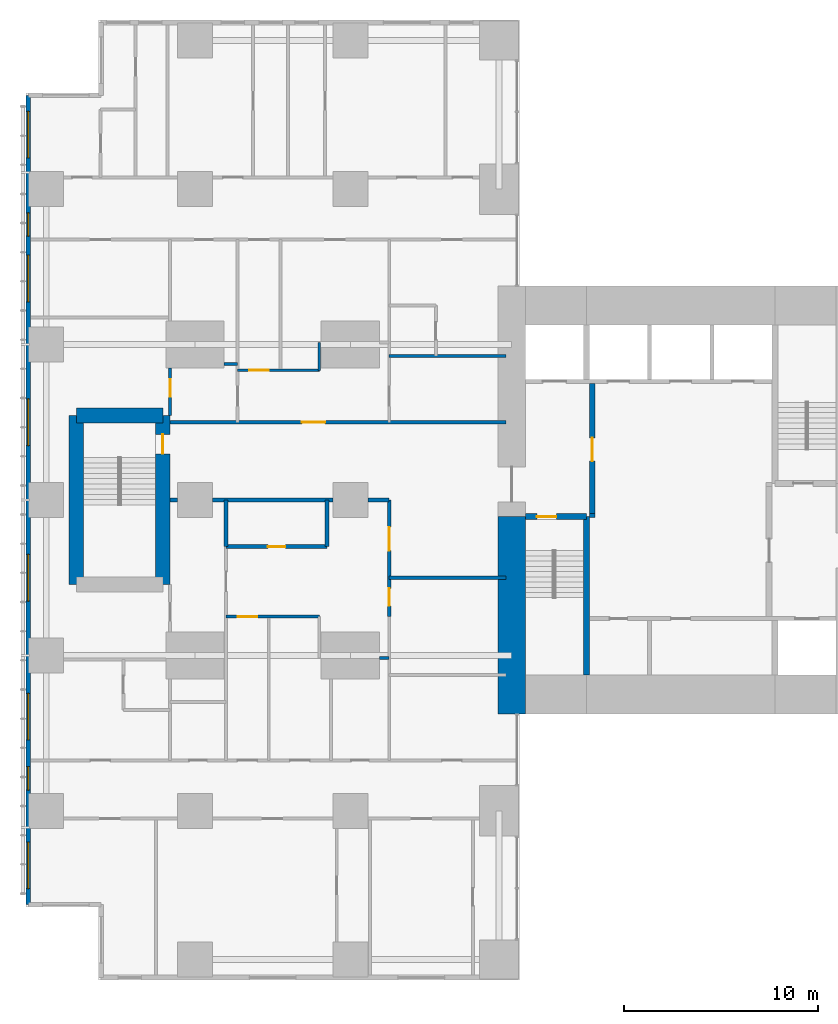
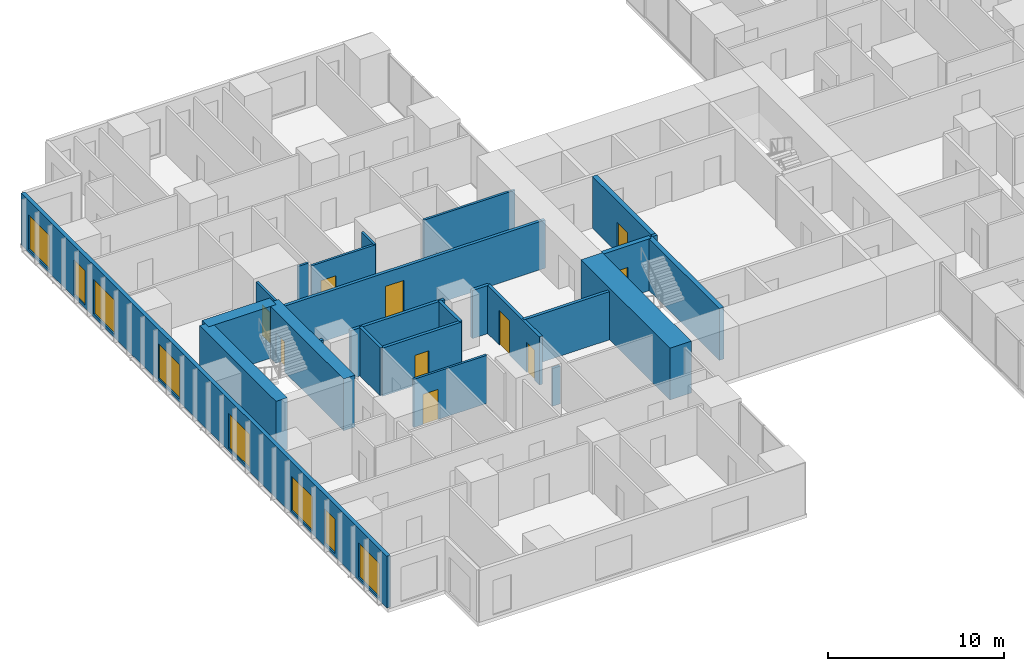
# One storey, part 13 of 20: 25 walls, 10 doors, 8 windows, 18 openings.
"""IFC4 building model written with IfcOpenShell, lengths in metres."""

from ifc_helpers import new_model, si_unit, direction, frame, frame_2d, origin, place, context, subcontext, project, spatial, rectangle, extrude, material, layer, layer_set, type_object, element, fill, save


model = new_model("IFC4")

# Units and contexts
model_context = context("Model", 3, precision=1e-05, world=origin(), true_north=direction((0.0, 1.0)))
body_context = subcontext(model_context, "Body", "Model", "MODEL_VIEW")
ifc_project = project(units=[si_unit("LENGTHUNIT", "METRE"), si_unit("AREAUNIT", "SQUARE_METRE"), si_unit("VOLUMEUNIT", "CUBIC_METRE"), si_unit("PLANEANGLEUNIT", "RADIAN"), si_unit("MASSUNIT", "GRAM", prefix="KILO")], contexts=[model_context])

# Site, building, storey
site_placement = place(None, origin())
site = spatial("IfcSite", under=ifc_project, at=site_placement, CompositionType="ELEMENT")
building_placement = place(site_placement, origin())
building = spatial("IfcBuilding", under=site, at=building_placement, Name="Cleftline Residences", CompositionType="ELEMENT")
storey_placement = place(building_placement, frame((0.0, 0.0, 214.60009765625)))
storey = spatial("IfcBuildingStorey", under=building, at=storey_placement, Name="L56", CompositionType="ELEMENT", Elevation=214.60009765625)

# Walls
ifc_material_1 = material(Name="Concrete B70", Category="concrete")
ifc_layer_1 = layer(ifc_material_1, 1.39990234375)
ifc_layer_set_1 = layer_set([ifc_layer_1], Name="CORE WALL 1400")
wall_type_1 = type_object("IfcWallType", Name="CORE WALL 1400", PredefinedType="SHEAR", material=ifc_layer_set_1)
wall_1_placement = place(storey_placement, frame((24.300048828125, 13.0, 0.0), z_axis=(0.0, 0.0, 1.0), x_axis=(0.0, 1.0, 0.0)))
element("IfcWall", 1, at=wall_1_placement, inside=storey, type_object=wall_type_1, Name="Core wall W0", PredefinedType="SHEAR", context=body_context, shape_type="SweptSolid", body=[
    extrude(rectangle(XDim=10.14990234375, YDim=1.39990234375, at=frame_2d((5.074951171875, 0.0))), origin(), (0.0, 0.0, 1.0), 3.599853515625),
])
ifc_material_2 = material(Name="Concrete B70", Category="concrete")
ifc_layer_2 = layer(ifc_material_2, 0.300048828125)
ifc_layer_set_2 = layer_set([ifc_layer_2], Name="CORE WALL 300")
wall_type_2 = type_object("IfcWallType", Name="CORE WALL 300", PredefinedType="SHEAR", material=ifc_layer_set_2)
wall_2_placement = place(storey_placement, frame((28.14990234375, 15.0, 0.0), z_axis=(0.0, 0.0, 1.0), x_axis=(0.0, 1.0, 0.0)))
element("IfcWall", 2, at=wall_2_placement, inside=storey, type_object=wall_type_2, Name="Core wall SA-E", PredefinedType="SHEAR", context=body_context, shape_type="SweptSolid", body=[
    extrude(rectangle(XDim=8.14990234375, YDim=0.300048828125, at=frame_2d((4.074951171875, 0.0))), origin(), (0.0, 0.0, 1.0), 3.599853515625),
])

# Wall, opening, door
wall_3_placement = place(storey_placement, frame((25.0, 23.14990234375, 0.0), z_axis=(0.0, 0.0, 1.0), x_axis=(1.0, 0.0, 0.0)))
wall_3 = element("IfcWall", 3, at=wall_3_placement, inside=storey, type_object=wall_type_2, Name="Core wall SA-N", PredefinedType="SHEAR", context=body_context, shape_type="SweptSolid", body=[
    extrude(rectangle(XDim=3.14990234375, YDim=0.300048828125, at=frame_2d((1.574951171875, 0.0))), origin(), (0.0, 0.0, 1.0), 3.599853515625),
])
opening_1_placement = place(wall_3_placement, frame((0.60009765625, 0.0, 0.0)))
opening_1 = element("IfcOpeningElement", 4, at=opening_1_placement, cuts=wall_3, Name="Opening D5", PredefinedType="OPENING", context=body_context, shape_type="SweptSolid", body=[
    extrude(rectangle(XDim=1.0, YDim=2.10009765625, at=frame_2d((0.5, 1.050048828125))), frame((0.0, 0.159912109375, 0.0), z_axis=(0.0, -1.0, 0.0), x_axis=(1.0, 0.0, 0.0)), (0.0, 0.0, 1.0), 0.320068359375),
])
ifc_material_3 = material(Name="Steel", Category="steel")
door_type_1 = type_object("IfcDoorType", Name="STAIR DOOR 1000X2100", OperationType="SINGLE_SWING_LEFT", PredefinedType="DOOR", material=ifc_material_3)
door_1_placement = place(opening_1_placement, origin())
door_1 = element("IfcDoor", 5, at=door_1_placement, inside=storey, type_object=door_type_1, Name="Stair A door", OperationType="SINGLE_SWING_RIGHT", OverallHeight=2.10009765625, OverallWidth=1.0, PredefinedType="DOOR", context=body_context, shape_type="SweptSolid", body=[
    extrude(rectangle(XDim=1.0, YDim=2.10009765625, at=frame_2d((0.5, 1.050048828125))), frame((0.0, 0.02490234375, 0.0), z_axis=(0.0, -1.0, 0.0), x_axis=(1.0, 0.0, 0.0)), (0.0, 0.0, 1.0), 0.050048828125),
])
fill(opening_1, door_1)

# Wall, openings, windows
ifc_material_4 = material(Name="Rendered reinforced concrete blockwork", Category="masonry")
ifc_layer_3 = layer(ifc_material_4, 0.25)
ifc_layer_set_3 = layer_set([ifc_layer_3], Name="EXTERNAL WALL 250")
wall_type_3 = type_object("IfcWallType", Name="EXTERNAL WALL 250", PredefinedType="SOLIDWALL", material=ifc_layer_set_3)
wall_4_placement = place(storey_placement, frame((-0.574951171875, 44.824951171875, 0.0), z_axis=(0.0, 0.0, 1.0), x_axis=(0.0, -1.0, 0.0)))
wall_4 = element("IfcWall", 6, at=wall_4_placement, inside=storey, type_object=wall_type_3, Name="External wall", PredefinedType="SOLIDWALL", context=body_context, shape_type="SweptSolid", body=[
    extrude(rectangle(XDim=41.64990234375, YDim=0.25, at=frame_2d((20.824951171875, 0.0))), origin(), (0.0, 0.0, 1.0), 3.599853515625),
])
opening_2_placement = place(wall_4_placement, frame((0.824951171875, 0.0, 0.199951171875)))
opening_2 = element("IfcOpeningElement", 7, at=opening_2_placement, cuts=wall_4, Name="Opening W9", PredefinedType="OPENING", context=body_context, shape_type="SweptSolid", body=[
    extrude(rectangle(XDim=2.39990234375, YDim=2.39990234375, at=frame_2d((1.199951171875, 1.199951171875))), frame((0.0, 0.135009765625, 0.0), z_axis=(0.0, -1.0, 0.0), x_axis=(1.0, 0.0, 0.0)), (0.0, 0.0, 1.0), 0.27001953125),
])
opening_3_placement = place(wall_4_placement, frame((6.050048828125, 0.0, 0.199951171875)))
opening_3 = element("IfcOpeningElement", 8, at=opening_3_placement, cuts=wall_4, Name="Opening W13", PredefinedType="OPENING", context=body_context, shape_type="SweptSolid", body=[
    extrude(rectangle(XDim=1.199951171875, YDim=2.39990234375, at=frame_2d((0.60009765625, 1.199951171875))), frame((0.0, 0.135009765625, 0.0), z_axis=(0.0, -1.0, 0.0), x_axis=(1.0, 0.0, 0.0)), (0.0, 0.0, 1.0), 0.27001953125),
])
opening_4_placement = place(wall_4_placement, frame((8.22509765625, 0.0, 0.199951171875)))
opening_4 = element("IfcOpeningElement", 9, at=opening_4_placement, cuts=wall_4, Name="Opening W9", PredefinedType="OPENING", context=body_context, shape_type="SweptSolid", body=[
    extrude(rectangle(XDim=2.39990234375, YDim=2.39990234375, at=frame_2d((1.199951171875, 1.199951171875))), frame((0.0, 0.135009765625, 0.0), z_axis=(0.0, -1.0, 0.0), x_axis=(1.0, 0.0, 0.0)), (0.0, 0.0, 1.0), 0.27001953125),
])
opening_5_placement = place(wall_4_placement, frame((15.625, 0.0, 0.199951171875)))
opening_5 = element("IfcOpeningElement", 10, at=opening_5_placement, cuts=wall_4, Name="Opening W9", PredefinedType="OPENING", context=body_context, shape_type="SweptSolid", body=[
    extrude(rectangle(XDim=2.39990234375, YDim=2.39990234375, at=frame_2d((1.199951171875, 1.199951171875))), frame((0.0, 0.135009765625, 0.0), z_axis=(0.0, -1.0, 0.0), x_axis=(1.0, 0.0, 0.0)), (0.0, 0.0, 1.0), 0.27001953125),
])
opening_6_placement = place(wall_4_placement, frame((23.625, 0.0, 0.199951171875)))
opening_6 = element("IfcOpeningElement", 11, at=opening_6_placement, cuts=wall_4, Name="Opening W9", PredefinedType="OPENING", context=body_context, shape_type="SweptSolid", body=[
    extrude(rectangle(XDim=2.39990234375, YDim=2.39990234375, at=frame_2d((1.199951171875, 1.199951171875))), frame((0.0, 0.135009765625, 0.0), z_axis=(0.0, -1.0, 0.0), x_axis=(1.0, 0.0, 0.0)), (0.0, 0.0, 1.0), 0.27001953125),
])
opening_7_placement = place(wall_4_placement, frame((30.77490234375, 0.0, 0.199951171875)))
opening_7 = element("IfcOpeningElement", 12, at=opening_7_placement, cuts=wall_4, Name="Opening W9", PredefinedType="OPENING", context=body_context, shape_type="SweptSolid", body=[
    extrude(rectangle(XDim=2.39990234375, YDim=2.39990234375, at=frame_2d((1.199951171875, 1.199951171875))), frame((0.0, 0.135009765625, 0.0), z_axis=(0.0, -1.0, 0.0), x_axis=(1.0, 0.0, 0.0)), (0.0, 0.0, 1.0), 0.27001953125),
])
opening_8_placement = place(wall_4_placement, frame((34.550048828125, 0.0, 0.199951171875)))
opening_8 = element("IfcOpeningElement", 13, at=opening_8_placement, cuts=wall_4, Name="Opening W13", PredefinedType="OPENING", context=body_context, shape_type="SweptSolid", body=[
    extrude(rectangle(XDim=1.199951171875, YDim=2.39990234375, at=frame_2d((0.60009765625, 1.199951171875))), frame((0.0, 0.135009765625, 0.0), z_axis=(0.0, -1.0, 0.0), x_axis=(1.0, 0.0, 0.0)), (0.0, 0.0, 1.0), 0.27001953125),
])
opening_9_placement = place(wall_4_placement, frame((38.425048828125, 0.0, 0.199951171875)))
opening_9 = element("IfcOpeningElement", 14, at=opening_9_placement, cuts=wall_4, Name="Opening W9", PredefinedType="OPENING", context=body_context, shape_type="SweptSolid", body=[
    extrude(rectangle(XDim=2.39990234375, YDim=2.39990234375, at=frame_2d((1.199951171875, 1.199951171875))), frame((0.0, 0.135009765625, 0.0), z_axis=(0.0, -1.0, 0.0), x_axis=(1.0, 0.0, 0.0)), (0.0, 0.0, 1.0), 0.27001953125),
])
ifc_material_5 = material(Name="Aluminium frame, clear double glazing", Category="aluminium")
window_type_1 = type_object("IfcWindowType", Name="WINDOW 1200X2400", PartitioningType="DOUBLE_PANEL_VERTICAL", PredefinedType="WINDOW", material=ifc_material_5)
window_1_placement = place(opening_3_placement, origin())
window_1 = element("IfcWindow", 15, at=window_1_placement, inside=storey, type_object=window_type_1, Name="Window", OverallHeight=2.39990234375, OverallWidth=1.199951171875, PartitioningType="SINGLE_PANEL", PredefinedType="WINDOW", context=body_context, shape_type="SweptSolid", body=[
    extrude(rectangle(XDim=1.199951171875, YDim=2.39990234375, at=frame_2d((0.60009765625, 1.199951171875))), frame((0.0, 0.030029296875, 0.0), z_axis=(0.0, -1.0, 0.0), x_axis=(1.0, 0.0, 0.0)), (0.0, 0.0, 1.0), 0.06005859375),
])
fill(opening_3, window_1)
window_2_placement = place(opening_8_placement, origin())
window_2 = element("IfcWindow", 16, at=window_2_placement, inside=storey, type_object=window_type_1, Name="Window", OverallHeight=2.39990234375, OverallWidth=1.199951171875, PartitioningType="SINGLE_PANEL", PredefinedType="WINDOW", context=body_context, shape_type="SweptSolid", body=[
    extrude(rectangle(XDim=1.199951171875, YDim=2.39990234375, at=frame_2d((0.60009765625, 1.199951171875))), frame((0.0, 0.030029296875, 0.0), z_axis=(0.0, -1.0, 0.0), x_axis=(1.0, 0.0, 0.0)), (0.0, 0.0, 1.0), 0.06005859375),
])
fill(opening_8, window_2)
ifc_material_6 = material(Name="Aluminium frame, clear double glazing", Category="aluminium")
window_type_2 = type_object("IfcWindowType", Name="WINDOW 2400X2400", PartitioningType="DOUBLE_PANEL_VERTICAL", PredefinedType="WINDOW", material=ifc_material_6)
window_3_placement = place(opening_2_placement, origin())
window_3 = element("IfcWindow", 17, at=window_3_placement, inside=storey, type_object=window_type_2, Name="Window", OverallHeight=2.39990234375, OverallWidth=2.39990234375, PartitioningType="SINGLE_PANEL", PredefinedType="WINDOW", context=body_context, shape_type="SweptSolid", body=[
    extrude(rectangle(XDim=2.39990234375, YDim=2.39990234375, at=frame_2d((1.199951171875, 1.199951171875))), frame((0.0, 0.030029296875, 0.0), z_axis=(0.0, -1.0, 0.0), x_axis=(1.0, 0.0, 0.0)), (0.0, 0.0, 1.0), 0.06005859375),
])
fill(opening_2, window_3)
window_4_placement = place(opening_4_placement, origin())
window_4 = element("IfcWindow", 18, at=window_4_placement, inside=storey, type_object=window_type_2, Name="Window", OverallHeight=2.39990234375, OverallWidth=2.39990234375, PartitioningType="SINGLE_PANEL", PredefinedType="WINDOW", context=body_context, shape_type="SweptSolid", body=[
    extrude(rectangle(XDim=2.39990234375, YDim=2.39990234375, at=frame_2d((1.199951171875, 1.199951171875))), frame((0.0, 0.030029296875, 0.0), z_axis=(0.0, -1.0, 0.0), x_axis=(1.0, 0.0, 0.0)), (0.0, 0.0, 1.0), 0.06005859375),
])
fill(opening_4, window_4)
window_5_placement = place(opening_5_placement, origin())
window_5 = element("IfcWindow", 19, at=window_5_placement, inside=storey, type_object=window_type_2, Name="Window", OverallHeight=2.39990234375, OverallWidth=2.39990234375, PartitioningType="SINGLE_PANEL", PredefinedType="WINDOW", context=body_context, shape_type="SweptSolid", body=[
    extrude(rectangle(XDim=2.39990234375, YDim=2.39990234375, at=frame_2d((1.199951171875, 1.199951171875))), frame((0.0, 0.030029296875, 0.0), z_axis=(0.0, -1.0, 0.0), x_axis=(1.0, 0.0, 0.0)), (0.0, 0.0, 1.0), 0.06005859375),
])
fill(opening_5, window_5)
window_6_placement = place(opening_6_placement, origin())
window_6 = element("IfcWindow", 20, at=window_6_placement, inside=storey, type_object=window_type_2, Name="Window", OverallHeight=2.39990234375, OverallWidth=2.39990234375, PartitioningType="SINGLE_PANEL", PredefinedType="WINDOW", context=body_context, shape_type="SweptSolid", body=[
    extrude(rectangle(XDim=2.39990234375, YDim=2.39990234375, at=frame_2d((1.199951171875, 1.199951171875))), frame((0.0, 0.030029296875, 0.0), z_axis=(0.0, -1.0, 0.0), x_axis=(1.0, 0.0, 0.0)), (0.0, 0.0, 1.0), 0.06005859375),
])
fill(opening_6, window_6)
window_7_placement = place(opening_7_placement, origin())
window_7 = element("IfcWindow", 21, at=window_7_placement, inside=storey, type_object=window_type_2, Name="Window", OverallHeight=2.39990234375, OverallWidth=2.39990234375, PartitioningType="SINGLE_PANEL", PredefinedType="WINDOW", context=body_context, shape_type="SweptSolid", body=[
    extrude(rectangle(XDim=2.39990234375, YDim=2.39990234375, at=frame_2d((1.199951171875, 1.199951171875))), frame((0.0, 0.030029296875, 0.0), z_axis=(0.0, -1.0, 0.0), x_axis=(1.0, 0.0, 0.0)), (0.0, 0.0, 1.0), 0.06005859375),
])
fill(opening_7, window_7)
window_8_placement = place(opening_9_placement, origin())
window_8 = element("IfcWindow", 22, at=window_8_placement, inside=storey, type_object=window_type_2, Name="Window", OverallHeight=2.39990234375, OverallWidth=2.39990234375, PartitioningType="SINGLE_PANEL", PredefinedType="WINDOW", context=body_context, shape_type="SweptSolid", body=[
    extrude(rectangle(XDim=2.39990234375, YDim=2.39990234375, at=frame_2d((1.199951171875, 1.199951171875))), frame((0.0, 0.030029296875, 0.0), z_axis=(0.0, -1.0, 0.0), x_axis=(1.0, 0.0, 0.0)), (0.0, 0.0, 1.0), 0.06005859375),
])
fill(opening_9, window_8)

# Wall
ifc_material_7 = material(Name="Concrete blockwork, fire rated", Category="masonry")
ifc_layer_4 = layer(ifc_material_7, 0.199951171875)
ifc_layer_set_4 = layer_set([ifc_layer_4], Name="FIRE WALL 200")
wall_type_4 = type_object("IfcWallType", Name="FIRE WALL 200", PredefinedType="PARTITIONING", material=ifc_layer_set_4)
wall_5_placement = place(storey_placement, frame((18.0, 20.0, 0.0), z_axis=(0.0, 0.0, 1.0), x_axis=(1.0, 0.0, 0.0)))
element("IfcWall", 23, at=wall_5_placement, inside=storey, type_object=wall_type_4, Name="Fire separating wall", PredefinedType="PARTITIONING", context=body_context, shape_type="SweptSolid", body=[
    extrude(rectangle(XDim=6.0, YDim=0.199951171875, at=frame_2d((3.0, 0.0))), origin(), (0.0, 0.0, 1.0), 3.349853515625),
])

# Wall, opening, door
wall_6_placement = place(storey_placement, frame((9.60009765625, 21.60009765625, 0.0), z_axis=(0.0, 0.0, 1.0), x_axis=(1.0, 0.0, 0.0)))
wall_6 = element("IfcWall", 24, at=wall_6_placement, inside=storey, type_object=wall_type_4, Name="Fire separating wall", PredefinedType="PARTITIONING", context=body_context, shape_type="SweptSolid", body=[
    extrude(rectangle(XDim=5.199951171875, YDim=0.199951171875, at=frame_2d((2.60009765625, 0.0))), origin(), (0.0, 0.0, 1.0), 3.349853515625),
])
opening_10_placement = place(wall_6_placement, frame((2.14990234375, 0.0, 0.0)))
opening_10 = element("IfcOpeningElement", 25, at=opening_10_placement, cuts=wall_6, Name="Opening D1F30", PredefinedType="OPENING", context=body_context, shape_type="SweptSolid", body=[
    extrude(rectangle(XDim=0.89990234375, YDim=2.10009765625, at=frame_2d((0.449951171875, 1.050048828125))), frame((0.0, 0.10986328125, 0.0), z_axis=(0.0, -1.0, 0.0), x_axis=(1.0, 0.0, 0.0)), (0.0, 0.0, 1.0), 0.219970703125),
])
ifc_material_8 = material(Name="Timber veneer on solid core", Category="wood")
door_type_2 = type_object("IfcDoorType", Name="DOOR 900X2100 EI 30", OperationType="SINGLE_SWING_LEFT", PredefinedType="DOOR", material=ifc_material_8)
door_2_placement = place(opening_10_placement, origin())
door_2 = element("IfcDoor", 26, at=door_2_placement, inside=storey, type_object=door_type_2, Name="Door to cloakroom wc", OperationType="SINGLE_SWING_LEFT", OverallHeight=2.10009765625, OverallWidth=0.89990234375, PredefinedType="DOOR", context=body_context, shape_type="SweptSolid", body=[
    extrude(rectangle(XDim=0.89990234375, YDim=2.10009765625, at=frame_2d((0.449951171875, 1.050048828125))), frame((0.0, 0.02490234375, 0.0), z_axis=(0.0, -1.0, 0.0), x_axis=(1.0, 0.0, 0.0)), (0.0, 0.0, 1.0), 0.050048828125),
])
fill(opening_10, door_2)

# Walls
wall_7_placement = place(storey_placement, frame((6.72509765625, 24.0, 0.0), z_axis=(0.0, 0.0, 1.0), x_axis=(1.0, 0.0, 0.0)))
element("IfcWall", 27, at=wall_7_placement, inside=storey, type_object=wall_type_4, Name="Fire separating wall", PredefinedType="PARTITIONING", context=body_context, shape_type="SweptSolid", body=[
    extrude(rectangle(XDim=0.375, YDim=0.199951171875, at=frame_2d((0.1875, 0.0))), origin(), (0.0, 0.0, 1.0), 3.349853515625),
])
wall_8_placement = place(storey_placement, frame((8.89990234375, 24.0, 0.0), z_axis=(0.0, 0.0, 1.0), x_axis=(1.0, 0.0, 0.0)))
element("IfcWall", 28, at=wall_8_placement, inside=storey, type_object=wall_type_4, Name="Fire separating wall", PredefinedType="PARTITIONING", context=body_context, shape_type="SweptSolid", body=[
    extrude(rectangle(XDim=6.2001953125, YDim=0.199951171875, at=frame_2d((3.10009765625, 0.0))), origin(), (0.0, 0.0, 1.0), 3.349853515625),
])
wall_9_placement = place(storey_placement, frame((16.89990234375, 24.0, 0.0), z_axis=(0.0, 0.0, 1.0), x_axis=(1.0, 0.0, 0.0)))
element("IfcWall", 29, at=wall_9_placement, inside=storey, type_object=wall_type_4, Name="Fire separating wall", PredefinedType="PARTITIONING", context=body_context, shape_type="SweptSolid", body=[
    extrude(rectangle(XDim=1.10009765625, YDim=0.199951171875, at=frame_2d((0.550048828125, 0.0))), origin(), (0.0, 0.0, 1.0), 3.349853515625),
])

# Wall, opening, door
wall_10_placement = place(storey_placement, frame((6.72509765625, 28.0, 0.0), z_axis=(0.0, 0.0, 1.0), x_axis=(1.0, 0.0, 0.0)))
wall_10 = element("IfcWall", 30, at=wall_10_placement, inside=storey, type_object=wall_type_4, Name="Fire separating wall", PredefinedType="PARTITIONING", context=body_context, shape_type="SweptSolid", body=[
    extrude(rectangle(XDim=17.27490234375, YDim=0.199951171875, at=frame_2d((8.637451171875, 0.0))), origin(), (0.0, 0.0, 1.0), 3.349853515625),
])
opening_11_placement = place(wall_10_placement, frame((6.77490234375, 0.0, 0.0)))
opening_11 = element("IfcOpeningElement", 31, at=opening_11_placement, cuts=wall_10, Name="Opening D4", PredefinedType="OPENING", context=body_context, shape_type="SweptSolid", body=[
    extrude(rectangle(XDim=1.199951171875, YDim=2.39990234375, at=frame_2d((0.60009765625, 1.199951171875))), frame((0.0, 0.10986328125, 0.0), z_axis=(0.0, -1.0, 0.0), x_axis=(1.0, 0.0, 0.0)), (0.0, 0.0, 1.0), 0.219970703125),
])
ifc_material_9 = material(Name="Timber veneer on solid core", Category="wood")
door_type_3 = type_object("IfcDoorType", Name="APARTMENT ENTRANCE DOOR 1200X2400", OperationType="SINGLE_SWING_RIGHT", PredefinedType="DOOR", material=ifc_material_9)
door_3_placement = place(opening_11_placement, origin())
door_3 = element("IfcDoor", 32, at=door_3_placement, inside=storey, type_object=door_type_3, Name="Door to residence entrance (gallery)", OperationType="SINGLE_SWING_RIGHT", OverallHeight=2.39990234375, OverallWidth=1.199951171875, PredefinedType="DOOR", context=body_context, shape_type="SweptSolid", body=[
    extrude(rectangle(XDim=1.199951171875, YDim=2.39990234375, at=frame_2d((0.60009765625, 1.199951171875))), frame((0.0, 0.02490234375, 0.0), z_axis=(0.0, -1.0, 0.0), x_axis=(1.0, 0.0, 0.0)), (0.0, 0.0, 1.0), 0.050048828125),
])
fill(opening_11, door_3)

# Walls
for number, where, z_axis, x_axis, name in (
    (33, (9.60009765625, 21.60009765625, 0.0), (0.0, 0.0, 1.0), (0.0, 1.0, 0.0), "Fire separating wall"),
    (34, (14.800048828125, 21.60009765625, 0.0), (0.0, 0.0, 1.0), (0.0, 1.0, 0.0), "Fire separating wall"),
):
    element("IfcWall", number, at=place(storey_placement, frame(where, z_axis=z_axis, x_axis=x_axis)), inside=storey, type_object=wall_type_4, Name=name, PredefinedType="PARTITIONING", context=body_context, shape_type="SweptSolid", body=[
        extrude(rectangle(XDim=2.39990234375, YDim=0.199951171875, at=frame_2d((1.199951171875, 0.0))), origin(), (0.0, 0.0, 1.0), 3.349853515625),
    ])

# Wall, openings, doors
wall_11_placement = place(storey_placement, frame((18.0, 18.0, 0.0), z_axis=(0.0, 0.0, 1.0), x_axis=(0.0, 1.0, 0.0)))
wall_11 = element("IfcWall", 35, at=wall_11_placement, inside=storey, type_object=wall_type_4, Name="Fire separating wall", PredefinedType="PARTITIONING", context=body_context, shape_type="SweptSolid", body=[
    extrude(rectangle(XDim=6.0, YDim=0.199951171875, at=frame_2d((3.0, 0.0))), origin(), (0.0, 0.0, 1.0), 3.349853515625),
])
opening_12_placement = place(wall_11_placement, frame((3.39990234375, 0.0, 0.0)))
opening_12 = element("IfcOpeningElement", 36, at=opening_12_placement, cuts=wall_11, Name="Opening D4", PredefinedType="OPENING", context=body_context, shape_type="SweptSolid", body=[
    extrude(rectangle(XDim=1.199951171875, YDim=2.39990234375, at=frame_2d((0.60009765625, 1.199951171875))), frame((0.0, 0.10986328125, 0.0), z_axis=(0.0, -1.0, 0.0), x_axis=(1.0, 0.0, 0.0)), (0.0, 0.0, 1.0), 0.219970703125),
])
opening_13_placement = place(wall_11_placement, frame((0.550048828125, 0.0, 0.0)))
opening_13 = element("IfcOpeningElement", 37, at=opening_13_placement, cuts=wall_11, Name="Opening D1F30", PredefinedType="OPENING", context=body_context, shape_type="SweptSolid", body=[
    extrude(rectangle(XDim=0.89990234375, YDim=2.10009765625, at=frame_2d((0.449951171875, 1.050048828125))), frame((0.0, 0.10986328125, 0.0), z_axis=(0.0, -1.0, 0.0), x_axis=(1.0, 0.0, 0.0)), (0.0, 0.0, 1.0), 0.219970703125),
])
door_4_placement = place(opening_12_placement, origin())
door_4 = element("IfcDoor", 38, at=door_4_placement, inside=storey, type_object=door_type_3, Name="Door to residence entrance foyer", OperationType="SINGLE_SWING_LEFT", OverallHeight=2.39990234375, OverallWidth=1.199951171875, PredefinedType="DOOR", context=body_context, shape_type="SweptSolid", body=[
    extrude(rectangle(XDim=1.199951171875, YDim=2.39990234375, at=frame_2d((0.60009765625, 1.199951171875))), frame((0.0, 0.02490234375, 0.0), z_axis=(0.0, -1.0, 0.0), x_axis=(1.0, 0.0, 0.0)), (0.0, 0.0, 1.0), 0.050048828125),
])
fill(opening_12, door_4)
door_5_placement = place(opening_13_placement, origin())
door_5 = element("IfcDoor", 39, at=door_5_placement, inside=storey, type_object=door_type_2, Name="Door to utility room", OperationType="SINGLE_SWING_RIGHT", OverallHeight=2.10009765625, OverallWidth=0.89990234375, PredefinedType="DOOR", context=body_context, shape_type="SweptSolid", body=[
    extrude(rectangle(XDim=0.89990234375, YDim=2.10009765625, at=frame_2d((0.449951171875, 1.050048828125))), frame((0.0, 0.02490234375, 0.0), z_axis=(0.0, -1.0, 0.0), x_axis=(1.0, 0.0, 0.0)), (0.0, 0.0, 1.0), 0.050048828125),
])
fill(opening_13, door_5)

# Walls
wall_12_placement = place(storey_placement, frame((28.300048828125, 23.199951171875, 0.0), z_axis=(0.0, 0.0, 1.0), x_axis=(1.0, 0.0, 0.0)))
element("IfcWall", 40, at=wall_12_placement, inside=storey, type_object=wall_type_4, Name="Fire separating wall", PredefinedType="PARTITIONING", context=body_context, shape_type="SweptSolid", body=[
    extrude(rectangle(XDim=0.300048828125, YDim=0.199951171875, at=frame_2d((0.14990234375, 0.0))), origin(), (0.0, 0.0, 1.0), 3.599853515625),
])
ifc_material_10 = material(Name="Gypsum board on steel studs", Category="steel")
ifc_layer_5 = layer(ifc_material_10, 0.14990234375)
ifc_layer_set_5 = layer_set([ifc_layer_5], Name="PARTITION 150")
wall_type_5 = type_object("IfcWallType", Name="PARTITION 150", PredefinedType="PARTITIONING", material=ifc_layer_set_5)
wall_13_placement = place(storey_placement, frame((17.5, 15.875, 0.0), z_axis=(0.0, 0.0, 1.0), x_axis=(1.0, 0.0, 0.0)))
element("IfcWall", 41, at=wall_13_placement, inside=storey, type_object=wall_type_5, Name="Partition", PredefinedType="PARTITIONING", context=body_context, shape_type="SweptSolid", body=[
    extrude(rectangle(XDim=0.5, YDim=0.14990234375, at=frame_2d((0.25, 0.0))), origin(), (0.0, 0.0, 1.0), 2.6337890625),
])

# Wall, opening, door
wall_14_placement = place(storey_placement, frame((9.60009765625, 18.0, 0.0), z_axis=(0.0, 0.0, 1.0), x_axis=(1.0, 0.0, 0.0)))
wall_14 = element("IfcWall", 42, at=wall_14_placement, inside=storey, type_object=wall_type_5, Name="Partition", PredefinedType="PARTITIONING", context=body_context, shape_type="SweptSolid", body=[
    extrude(rectangle(XDim=4.7998046875, YDim=0.14990234375, at=frame_2d((2.39990234375, 0.0))), origin(), (0.0, 0.0, 1.0), 3.349853515625),
])
opening_14_placement = place(wall_14_placement, frame((0.60009765625, 0.0, 0.0)))
opening_14 = element("IfcOpeningElement", 43, at=opening_14_placement, cuts=wall_14, Name="Opening D2", PredefinedType="OPENING", context=body_context, shape_type="SweptSolid", body=[
    extrude(rectangle(XDim=1.0, YDim=2.10009765625, at=frame_2d((0.5, 1.050048828125))), frame((0.0, 0.0849609375, 0.0), z_axis=(0.0, -1.0, 0.0), x_axis=(1.0, 0.0, 0.0)), (0.0, 0.0, 1.0), 0.169921875),
])
ifc_material_11 = material(Name="Timber veneer on solid core", Category="wood")
door_type_4 = type_object("IfcDoorType", Name="DOOR 1000X2100", OperationType="SINGLE_SWING_LEFT", PredefinedType="DOOR", material=ifc_material_11)
door_6_placement = place(opening_14_placement, origin())
door_6 = element("IfcDoor", 44, at=door_6_placement, inside=storey, type_object=door_type_4, Name="Door to residence passage", OperationType="SINGLE_SWING_RIGHT", OverallHeight=2.10009765625, OverallWidth=1.0, PredefinedType="DOOR", context=body_context, shape_type="SweptSolid", body=[
    extrude(rectangle(XDim=1.0, YDim=2.10009765625, at=frame_2d((0.5, 1.050048828125))), frame((0.0, 0.02490234375, 0.0), z_axis=(0.0, -1.0, 0.0), x_axis=(1.0, 0.0, 0.0)), (0.0, 0.0, 1.0), 0.050048828125),
])
fill(opening_14, door_6)

wall_15_placement = place(storey_placement, frame((10.199951171875, 30.675048828125, 0.0), z_axis=(0.0, 0.0, 1.0), x_axis=(1.0, 0.0, 0.0)))
wall_15 = element("IfcWall", 45, at=wall_15_placement, inside=storey, type_object=wall_type_5, Name="Partition", PredefinedType="PARTITIONING", context=body_context, shape_type="SweptSolid", body=[
    extrude(rectangle(XDim=4.199951171875, YDim=0.14990234375, at=frame_2d((2.10009765625, 0.0))), origin(), (0.0, 0.0, 1.0), 3.349853515625),
])
opening_15_placement = place(wall_15_placement, frame((0.60009765625, 0.0, 0.0)))
opening_15 = element("IfcOpeningElement", 46, at=opening_15_placement, cuts=wall_15, Name="Opening D2", PredefinedType="OPENING", context=body_context, shape_type="SweptSolid", body=[
    extrude(rectangle(XDim=1.0, YDim=2.10009765625, at=frame_2d((0.5, 1.050048828125))), frame((0.0, 0.0849609375, 0.0), z_axis=(0.0, -1.0, 0.0), x_axis=(1.0, 0.0, 0.0)), (0.0, 0.0, 1.0), 0.169921875),
])
door_7_placement = place(opening_15_placement, origin())
door_7 = element("IfcDoor", 47, at=door_7_placement, inside=storey, type_object=door_type_4, Name="Door to residence passage", OperationType="SINGLE_SWING_RIGHT", OverallHeight=2.10009765625, OverallWidth=1.0, PredefinedType="DOOR", context=body_context, shape_type="SweptSolid", body=[
    extrude(rectangle(XDim=1.0, YDim=2.10009765625, at=frame_2d((0.5, 1.050048828125))), frame((0.0, 0.02490234375, 0.0), z_axis=(0.0, -1.0, 0.0), x_axis=(1.0, 0.0, 0.0)), (0.0, 0.0, 1.0), 0.050048828125),
])
fill(opening_15, door_7)

# Walls
wall_16_placement = place(storey_placement, frame((9.5, 31.0, 0.0), z_axis=(0.0, 0.0, 1.0), x_axis=(1.0, 0.0, 0.0)))
element("IfcWall", 48, at=wall_16_placement, inside=storey, type_object=wall_type_5, Name="Partition", PredefinedType="PARTITIONING", context=body_context, shape_type="SweptSolid", body=[
    extrude(rectangle(XDim=0.699951171875, YDim=0.14990234375, at=frame_2d((0.35009765625, 0.0))), origin(), (0.0, 0.0, 1.0), 3.349853515625),
])
wall_17_placement = place(storey_placement, frame((18.0, 31.39990234375, 0.0), z_axis=(0.0, 0.0, 1.0), x_axis=(1.0, 0.0, 0.0)))
element("IfcWall", 49, at=wall_17_placement, inside=storey, type_object=wall_type_5, Name="Partition", PredefinedType="PARTITIONING", context=body_context, shape_type="SweptSolid", body=[
    extrude(rectangle(XDim=6.0, YDim=0.14990234375, at=frame_2d((3.0, 0.0))), origin(), (0.0, 0.0, 1.0), 3.349853515625),
])

# Wall, opening, door
wall_18_placement = place(storey_placement, frame((6.72509765625, 28.35009765625, 0.0), z_axis=(0.0, 0.0, 1.0), x_axis=(0.0, 1.0, 0.0)))
wall_18 = element("IfcWall", 50, at=wall_18_placement, inside=storey, type_object=wall_type_5, Name="Partition", PredefinedType="PARTITIONING", context=body_context, shape_type="SweptSolid", body=[
    extrude(rectangle(XDim=2.449951171875, YDim=0.14990234375, at=frame_2d((1.22509765625, 0.0))), origin(), (0.0, 0.0, 1.0), 3.349853515625),
])
opening_16_placement = place(wall_18_placement, frame((0.96240234375, 0.0, 0.0)))
opening_16 = element("IfcOpeningElement", 51, at=opening_16_placement, cuts=wall_18, Name="Opening D1", PredefinedType="OPENING", context=body_context, shape_type="SweptSolid", body=[
    extrude(rectangle(XDim=0.89990234375, YDim=2.10009765625, at=frame_2d((0.449951171875, 1.050048828125))), frame((0.0, 0.0849609375, 0.0), z_axis=(0.0, -1.0, 0.0), x_axis=(1.0, 0.0, 0.0)), (0.0, 0.0, 1.0), 0.169921875),
])
ifc_material_12 = material(Name="Timber veneer on solid core", Category="wood")
door_type_5 = type_object("IfcDoorType", Name="DOOR 900X2100", OperationType="SINGLE_SWING_LEFT", PredefinedType="DOOR", material=ifc_material_12)
door_8_placement = place(opening_16_placement, origin())
door_8 = element("IfcDoor", 52, at=door_8_placement, inside=storey, type_object=door_type_5, Name="Door to drying loggia", OperationType="SINGLE_SWING_LEFT", OverallHeight=2.10009765625, OverallWidth=0.89990234375, PredefinedType="DOOR", context=body_context, shape_type="SweptSolid", body=[
    extrude(rectangle(XDim=0.89990234375, YDim=2.10009765625, at=frame_2d((0.449951171875, 1.050048828125))), frame((0.0, 0.02490234375, 0.0), z_axis=(0.0, -1.0, 0.0), x_axis=(1.0, 0.0, 0.0)), (0.0, 0.0, 1.0), 0.050048828125),
])
fill(opening_16, door_8)

# Wall
wall_19_placement = place(storey_placement, frame((14.39990234375, 30.675048828125, 0.0), z_axis=(0.0, 0.0, 1.0), x_axis=(0.0, 1.0, 0.0)))
element("IfcWall", 53, at=wall_19_placement, inside=storey, type_object=wall_type_5, Name="Partition", PredefinedType="PARTITIONING", context=body_context, shape_type="SweptSolid", body=[
    extrude(rectangle(XDim=1.425048828125, YDim=0.14990234375, at=frame_2d((0.71240234375, 0.0))), origin(), (0.0, 0.0, 1.0), 3.349853515625),
])

# Wall, opening, door
ifc_material_13 = material(Name="Concrete B70", Category="concrete")
ifc_layer_6 = layer(ifc_material_13, 0.75)
ifc_layer_set_6 = layer_set([ifc_layer_6], Name="SHEAR WALL 750")
wall_type_6 = type_object("IfcWallType", Name="SHEAR WALL 750", PredefinedType="SHEAR", material=ifc_layer_set_6)
wall_20_placement = place(storey_placement, frame((6.35009765625, 19.64990234375, 0.0), z_axis=(0.0, 0.0, 1.0), x_axis=(0.0, 1.0, 0.0)))
wall_20 = element("IfcWall", 54, at=wall_20_placement, inside=storey, type_object=wall_type_6, Name="Wing shear wall", PredefinedType="SHEAR", context=body_context, shape_type="SweptSolid", body=[
    extrude(rectangle(XDim=8.7001953125, YDim=0.75, at=frame_2d((4.35009765625, 0.0))), origin(), (0.0, 0.0, 1.0), 3.599853515625),
])
opening_17_placement = place(wall_20_placement, frame((6.72509765625, 0.0, 0.0)))
opening_17 = element("IfcOpeningElement", 55, at=opening_17_placement, cuts=wall_20, Name="Opening D5", PredefinedType="OPENING", context=body_context, shape_type="SweptSolid", body=[
    extrude(rectangle(XDim=1.0, YDim=2.10009765625, at=frame_2d((0.5, 1.050048828125))), frame((0.0, 0.385009765625, 0.0), z_axis=(0.0, -1.0, 0.0), x_axis=(1.0, 0.0, 0.0)), (0.0, 0.0, 1.0), 0.77001953125),
])
door_9_placement = place(opening_17_placement, origin())
door_9 = element("IfcDoor", 56, at=door_9_placement, inside=storey, type_object=door_type_1, Name="Stair W door", OperationType="SINGLE_SWING_LEFT", OverallHeight=2.10009765625, OverallWidth=1.0, PredefinedType="DOOR", context=body_context, shape_type="SweptSolid", body=[
    extrude(rectangle(XDim=1.0, YDim=2.10009765625, at=frame_2d((0.5, 1.050048828125))), frame((0.0, 0.02490234375, 0.0), z_axis=(0.0, -1.0, 0.0), x_axis=(1.0, 0.0, 0.0)), (0.0, 0.0, 1.0), 0.050048828125),
])
fill(opening_17, door_9)

# Walls
wall_21_placement = place(storey_placement, frame((6.35009765625, 28.35009765625, 0.0), z_axis=(0.0, 0.0, 1.0), x_axis=(-1.0, 0.0, 0.0)))
element("IfcWall", 57, at=wall_21_placement, inside=storey, type_object=wall_type_6, Name="Wing shear wall", PredefinedType="SHEAR", context=body_context, shape_type="SweptSolid", body=[
    extrude(rectangle(XDim=4.4501953125, YDim=0.75, at=frame_2d((2.22509765625, 0.0))), origin(), (0.0, 0.0, 1.0), 3.599853515625),
])
wall_22_placement = place(storey_placement, frame((1.89990234375, 28.35009765625, 0.0), z_axis=(0.0, 0.0, 1.0), x_axis=(0.0, -1.0, 0.0)))
element("IfcWall", 58, at=wall_22_placement, inside=storey, type_object=wall_type_6, Name="Wing shear wall", PredefinedType="SHEAR", context=body_context, shape_type="SweptSolid", body=[
    extrude(rectangle(XDim=8.7001953125, YDim=0.75, at=frame_2d((4.35009765625, 0.0))), origin(), (0.0, 0.0, 1.0), 3.599853515625),
])

# Wall, opening, door
ifc_material_14 = material(Name="Concrete blockwork, fire rated", Category="masonry")
ifc_layer_7 = layer(ifc_material_14, 0.300048828125)
ifc_layer_set_7 = layer_set([ifc_layer_7], Name="STAIR LOBBY WALL 300")
wall_type_7 = type_object("IfcWallType", Name="STAIR LOBBY WALL 300", PredefinedType="PARTITIONING", material=ifc_layer_set_7)
wall_23_placement = place(storey_placement, frame((28.449951171875, 23.300048828125, 0.0), z_axis=(0.0, 0.0, 1.0), x_axis=(0.0, 1.0, 0.0)))
wall_23 = element("IfcWall", 59, at=wall_23_placement, inside=storey, type_object=wall_type_7, Name="Stair and lobby wall FA-E", PredefinedType="PARTITIONING", context=body_context, shape_type="SweptSolid", body=[
    extrude(rectangle(XDim=6.699951171875, YDim=0.300048828125, at=frame_2d((3.35009765625, 0.0))), origin(), (0.0, 0.0, 1.0), 3.599853515625),
])
opening_18_placement = place(wall_23_placement, frame((2.699951171875, 0.0, 0.0)))
opening_18 = element("IfcOpeningElement", 60, at=opening_18_placement, cuts=wall_23, Name="Opening D6", PredefinedType="OPENING", context=body_context, shape_type="SweptSolid", body=[
    extrude(rectangle(XDim=1.199951171875, YDim=2.10009765625, at=frame_2d((0.60009765625, 1.050048828125))), frame((0.0, 0.159912109375, 0.0), z_axis=(0.0, -1.0, 0.0), x_axis=(1.0, 0.0, 0.0)), (0.0, 0.0, 1.0), 0.320068359375),
])
ifc_material_15 = material(Name="Steel", Category="steel")
door_type_6 = type_object("IfcDoorType", Name="LOBBY DOOR 1200X2100", OperationType="SINGLE_SWING_RIGHT", PredefinedType="DOOR", material=ifc_material_15)
door_10_placement = place(opening_18_placement, origin())
door_10 = element("IfcDoor", 61, at=door_10_placement, inside=storey, type_object=door_type_6, Name="Firefighting lobby A door", OperationType="SINGLE_SWING_RIGHT", OverallHeight=2.10009765625, OverallWidth=1.199951171875, PredefinedType="DOOR", context=body_context, shape_type="SweptSolid", body=[
    extrude(rectangle(XDim=1.199951171875, YDim=2.10009765625, at=frame_2d((0.60009765625, 1.050048828125))), frame((0.0, 0.02490234375, 0.0), z_axis=(0.0, -1.0, 0.0), x_axis=(1.0, 0.0, 0.0)), (0.0, 0.0, 1.0), 0.050048828125),
])
fill(opening_18, door_10)

save(model, "model.ifc")
